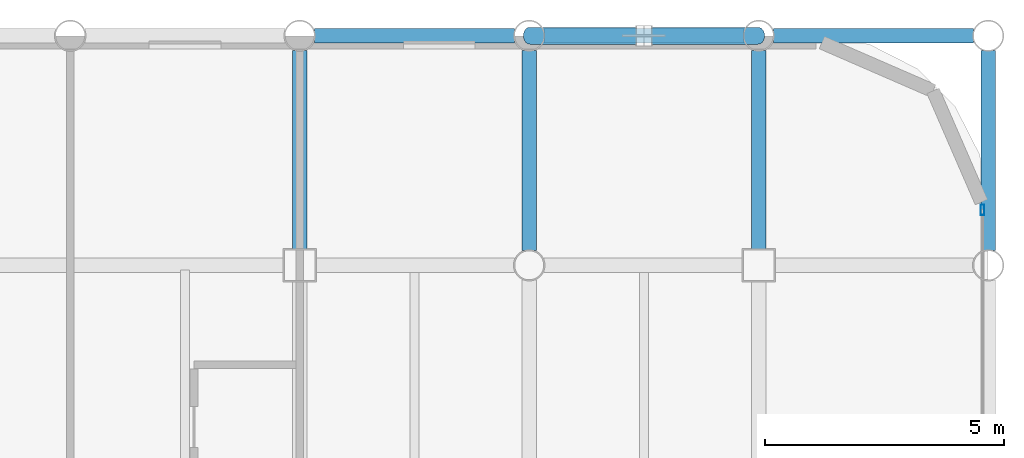
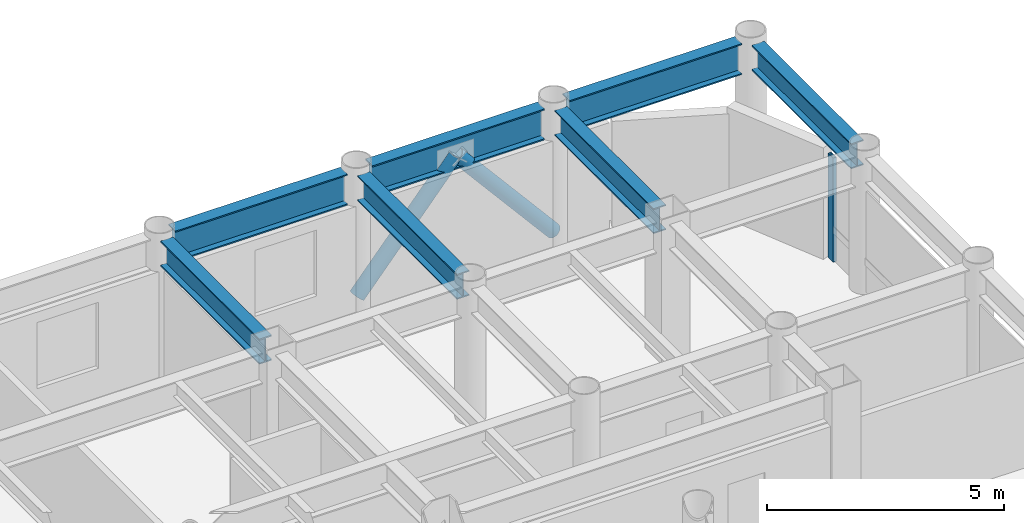
# One storey, part 14 of 20: 7 beams, 3 members, 1 element without a shape of its own.
"""IFC4 building model written with IfcOpenShell, lengths in metres."""

from ifc_helpers import new_model, si_unit, direction, frame, origin, origin_2d, place, context, subcontext, project, spatial, hollow_rectangle, hollow_circle, i_section, extrude, material, layer, layer_set, material_profile, profile_set, type_object, element, aggregate, save


model = new_model("IFC4")

# Units and contexts
model_context = context("Model", 3, precision=1e-05, world=origin(), true_north=direction((0.0, 1.0)))
body_context = subcontext(model_context, "Body", "Model", "MODEL_VIEW")
ifc_project = project(units=[si_unit("LENGTHUNIT", "METRE"), si_unit("AREAUNIT", "SQUARE_METRE"), si_unit("VOLUMEUNIT", "CUBIC_METRE"), si_unit("PLANEANGLEUNIT", "RADIAN"), si_unit("MASSUNIT", "GRAM", prefix="KILO")], contexts=[model_context])

# Site, building, storey
site_placement = place(None, origin())
site = spatial("IfcSite", under=ifc_project, at=site_placement, CompositionType="ELEMENT")
building_placement = place(site_placement, origin())
building = spatial("IfcBuilding", under=site, at=building_placement, Name="Kallvorn Hotel Tower", CompositionType="ELEMENT")
storey_placement = place(building_placement, frame((0.0, 0.0, 172.89990234375)))
storey = spatial("IfcBuildingStorey", under=building, at=storey_placement, Name="L43", CompositionType="ELEMENT", Elevation=172.89990234375)

# Beams
ifc_material_1 = material(Name="Structural steel S355JR", Category="steel")
ifc_material_profile_1 = material_profile(ifc_material_1, i_section(OverallWidth=0.300048828125, OverallDepth=0.64990234375, WebThickness=0.01611328125, FlangeThickness=0.031005859375, at=origin_2d()), Name="HE 650 B")
ifc_profile_set_1 = profile_set([ifc_material_profile_1], Name="Structural steel S355JR")
beam_type_1 = type_object("IfcBeamType", Name="BM_HE650B", PredefinedType="BEAM", material=ifc_profile_set_1)
beam_1_placement = place(storey_placement, frame((14.39990234375, 14.72509765625, 3.195068359375), z_axis=(0.0, 1.0, 0.0), x_axis=(-1.0, 0.0, 0.0)))
element("IfcBeam", 1, at=beam_1_placement, inside=storey, type_object=beam_type_1, Name="L44 Primary Y-Girder 126", PredefinedType="BEAM", context=body_context, shape_type="SweptSolid", body=[
    extrude(i_section(OverallWidth=0.300048828125, OverallDepth=0.64990234375, WebThickness=0.01611328125, FlangeThickness=0.031005859375, at=origin_2d()), origin(), (0.0, 0.0, 1.0), 4.169921875),
])
beam_2_placement = place(storey_placement, frame((19.199951171875, 14.705078125, 3.195068359375), z_axis=(0.0, 1.0, 0.0), x_axis=(-1.0, 0.0, 0.0)))
element("IfcBeam", 2, at=beam_2_placement, inside=storey, type_object=beam_type_1, Name="L44 Primary Y-Girder 135", PredefinedType="BEAM", context=body_context, shape_type="SweptSolid", body=[
    extrude(i_section(OverallWidth=0.300048828125, OverallDepth=0.64990234375, WebThickness=0.01611328125, FlangeThickness=0.031005859375, at=origin_2d()), origin(), (0.0, 0.0, 1.0), 4.18994140625),
])
beam_3_placement = place(storey_placement, frame((24.0, 14.72509765625, 3.195068359375), z_axis=(0.0, 1.0, 0.0), x_axis=(-1.0, 0.0, 0.0)))
element("IfcBeam", 3, at=beam_3_placement, inside=storey, type_object=beam_type_1, Name="L44 Primary Y-Girder 142", PredefinedType="BEAM", context=body_context, shape_type="SweptSolid", body=[
    extrude(i_section(OverallWidth=0.300048828125, OverallDepth=0.64990234375, WebThickness=0.01611328125, FlangeThickness=0.031005859375, at=origin_2d()), origin(), (0.0, 0.0, 1.0), 4.169921875),
])
beam_4_placement = place(storey_placement, frame((28.800048828125, 14.705078125, 3.195068359375), z_axis=(0.0, 1.0, 0.0), x_axis=(-1.0, 0.0, 0.0)))
element("IfcBeam", 4, at=beam_4_placement, inside=storey, type_object=beam_type_1, Name="L44 Primary Y-Girder 150", PredefinedType="BEAM", context=body_context, shape_type="SweptSolid", body=[
    extrude(i_section(OverallWidth=0.300048828125, OverallDepth=0.64990234375, WebThickness=0.01611328125, FlangeThickness=0.031005859375, at=origin_2d()), origin(), (0.0, 0.0, 1.0), 4.18994140625),
])
ifc_material_2 = material(Name="Structural steel S355JR", Category="steel")
ifc_material_profile_2 = material_profile(ifc_material_2, i_section(OverallWidth=0.300048828125, OverallDepth=0.800048828125, WebThickness=0.017578125, FlangeThickness=0.032958984375, at=origin_2d()), Name="HE 800 B")
ifc_profile_set_2 = profile_set([ifc_material_profile_2], Name="Structural steel S355JR")
beam_type_2 = type_object("IfcBeamType", Name="BM_HE800B", PredefinedType="BEAM", material=ifc_profile_set_2)
beam_5_placement = place(storey_placement, frame((14.705078125, 19.199951171875, 3.1201171875), z_axis=(1.0, 0.0, 0.0), x_axis=(0.0, 1.0, 0.0)))
element("IfcBeam", 5, at=beam_5_placement, inside=storey, type_object=beam_type_2, Name="L44 Primary X-Girder 70", PredefinedType="BEAM", context=body_context, shape_type="SweptSolid", body=[
    extrude(i_section(OverallWidth=0.300048828125, OverallDepth=0.800048828125, WebThickness=0.017578125, FlangeThickness=0.032958984375, at=origin_2d()), origin(), (0.0, 0.0, 1.0), 4.18994140625),
])
for number, where, z_axis, x_axis, name in (
    (6, (19.5048828125, 19.199951171875, 3.1201171875), (1.0, 0.0, 0.0), (0.0, 1.0, 0.0), "L44 Primary X-Girder 71"),
    (7, (24.304931640625, 19.199951171875, 3.1201171875), (1.0, 0.0, 0.0), (0.0, 1.0, 0.0), "L44 Primary X-Girder 72"),
):
    element("IfcBeam", number, at=place(storey_placement, frame(where, z_axis=z_axis, x_axis=x_axis)), inside=storey, type_object=beam_type_2, Name=name, PredefinedType="BEAM", context=body_context, shape_type="SweptSolid", body=[
        extrude(i_section(OverallWidth=0.300048828125, OverallDepth=0.800048828125, WebThickness=0.017578125, FlangeThickness=0.032958984375, at=origin_2d()), origin(), (0.0, 0.0, 1.0), 4.190185546875),
    ])

# Curtain wall, member
ifc_material_3 = material(Name="Thermally broken black-anodised aluminium AA 6063-T6", Category="aluminium")
ifc_layer = layer(ifc_material_3, 0.2099609375)
ifc_layer_set = layer_set([ifc_layer], Name="CW_SYS_4_HOTEL_MID")
curtain_wall_type = type_object("IfcCurtainWallType", Name="CW_SYS_4_HOTEL_MID", PredefinedType="USERDEFINED", material=ifc_layer_set)
curtain_wall_placement = place(storey_placement, origin())
curtain_wall = element("IfcCurtainWall", 8, at=curtain_wall_placement, inside=storey, type_object=curtain_wall_type, Name="L43 Dark-Glass Curtain Wall CW-L43-EN", ObjectType="UNITISED CURTAIN WALL", PredefinedType="USERDEFINED")
ifc_material_4 = material(Name="Thermally broken black-anodised aluminium AA 6063-T6", Category="aluminium")
ifc_material_profile_3 = material_profile(ifc_material_4, hollow_rectangle(XDim=0.080078125, YDim=0.219970703125, WallThickness=0.0048828125, at=origin_2d()), Name="MUL 220x80")
ifc_profile_set_3 = profile_set([ifc_material_profile_3], Name="Thermally broken black-anodised aluminium AA 6063-T6")
member_type_1 = type_object("IfcMemberType", Name="CW_MULLION_220x80", PredefinedType="MULLION", material=ifc_profile_set_3)
member_placement = place(storey_placement, frame((28.679931640625, 15.56005859375, 0.02001953125), z_axis=(0.0, 0.0, 1.0), x_axis=(1.0, 0.0, 0.0)))
member = element("IfcMember", 9, at=member_placement, type_object=member_type_1, Name="CW-L43-EN Mullion 01", PredefinedType="MULLION", context=body_context, shape_type="SweptSolid", body=[
    extrude(hollow_rectangle(XDim=0.080078125, YDim=0.219970703125, WallThickness=0.0048828125, at=origin_2d()), origin(), (0.0, 0.0, 1.0), 2.68017578125),
])
aggregate(curtain_wall, [member])

# Members
ifc_material_5 = material(Name="Structural steel S355J2H", Category="steel")
ifc_material_profile_4 = material_profile(ifc_material_5, hollow_circle(Radius=0.177734375, WallThickness=0.01416015625, at=origin_2d()), Name="CHS 355.6x14.2")
ifc_profile_set_4 = profile_set([ifc_material_profile_4], Name="Structural steel S355J2H")
member_type_2 = type_object("IfcMemberType", Name="MBR_EXO_CHS355", PredefinedType="BRACE", material=ifc_profile_set_4)
for number, where, z_axis, x_axis, name in (
    (10, (19.212890625, 19.199951171875, 0.1953125), (0.646800487591, 0.0, 0.762659248453), (0.0, 1.0, 0.0), "L43 Exoskeleton K-Brace N2A"),
    (11, (23.987060546875, 19.199951171875, 0.1953125), (-0.646800487591, 0.0, 0.762659248453), (0.0, -1.0, 0.0), "L43 Exoskeleton K-Brace N2B"),
):
    element("IfcMember", number, at=place(storey_placement, frame(where, z_axis=z_axis, x_axis=x_axis)), inside=storey, type_object=member_type_2, Name=name, PredefinedType="BRACE", context=body_context, shape_type="SweptSolid", body=[
        extrude(hollow_circle(Radius=0.177734375, WallThickness=0.01416015625, at=origin_2d()), origin(), (0.0, 0.0, 1.0), 3.6708984375),
    ])

save(model, "model.ifc")
